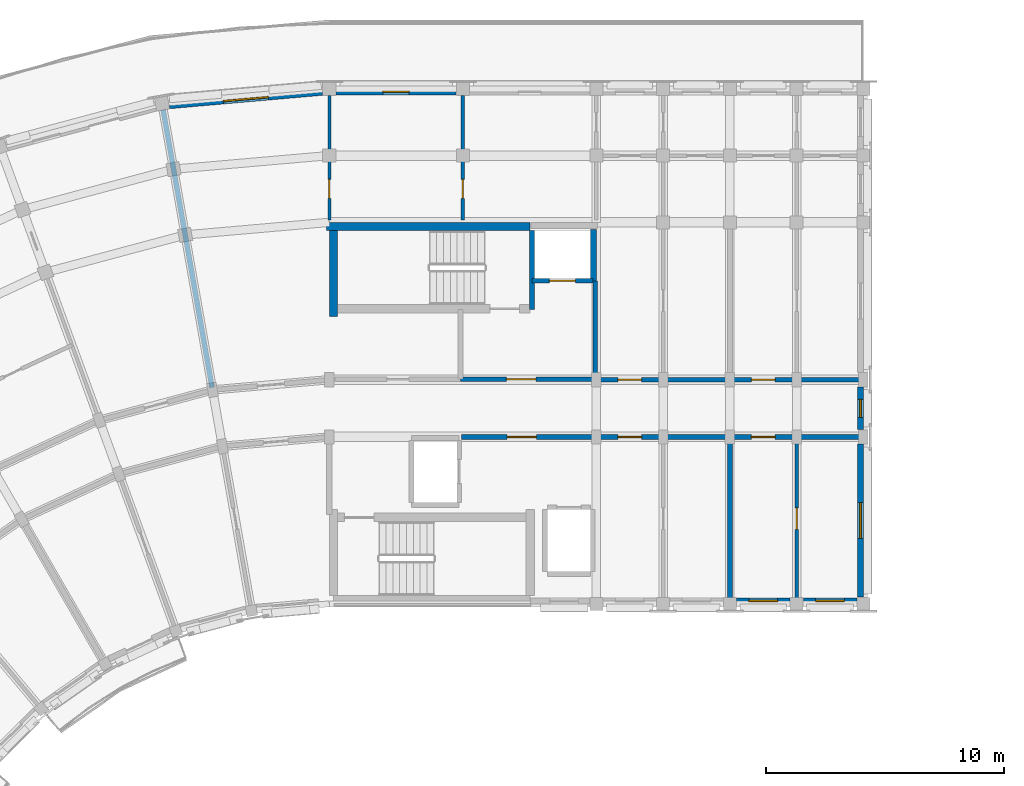
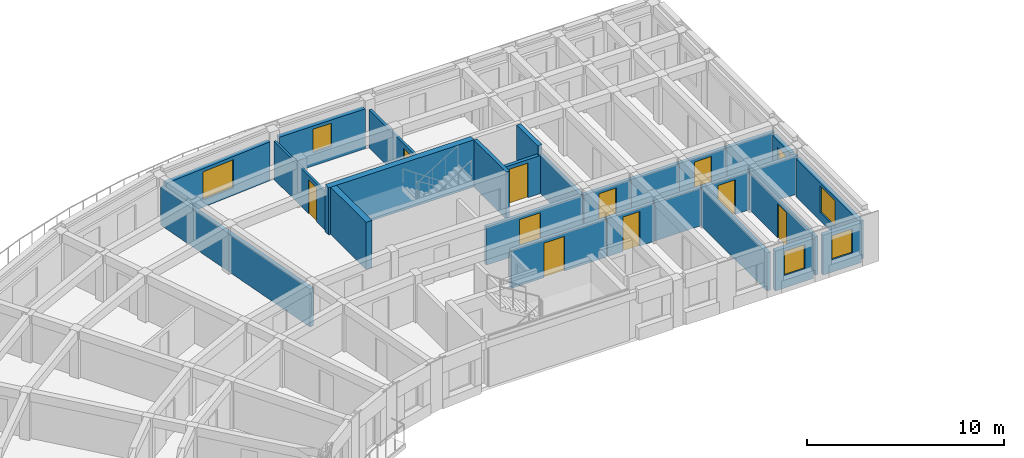
# One storey, part 14 of 23: 27 walls, 10 doors, 6 windows, 16 openings.
"""IFC4 building model written with IfcOpenShell, lengths in metres."""

from ifc_helpers import new_model, si_unit, direction, frame, frame_2d, origin, place, context, subcontext, project, spatial, rectangle, extrude, material, layer, layer_set, type_object, element, fill, save


model = new_model("IFC4")

# Units and contexts
model_context = context("Model", 3, precision=1e-05, world=origin(), true_north=direction((0.0, 1.0)))
body_context = subcontext(model_context, "Body", "Model", "MODEL_VIEW")
ifc_project = project(units=[si_unit("LENGTHUNIT", "METRE"), si_unit("AREAUNIT", "SQUARE_METRE"), si_unit("VOLUMEUNIT", "CUBIC_METRE"), si_unit("PLANEANGLEUNIT", "RADIAN"), si_unit("MASSUNIT", "GRAM", prefix="KILO")], contexts=[model_context])

# Site, building, storey
site_placement = place(None, origin())
site = spatial("IfcSite", under=ifc_project, at=site_placement, CompositionType="ELEMENT")
building_placement = place(site_placement, origin())
building = spatial("IfcBuilding", under=site, at=building_placement, Name="Kiranvali Square Residences", CompositionType="ELEMENT")
storey_placement = place(building_placement, frame((0.0, 0.0, 43.35009765625)))
storey = spatial("IfcBuildingStorey", under=building, at=storey_placement, Name="L13", CompositionType="ELEMENT", Elevation=43.35009765625)

# Wall, opening, door
ifc_material_1 = material(Name="Autoclaved aerated concrete blockwork masonry", Category="masonry")
ifc_layer_1 = layer(ifc_material_1, 0.199951171875)
ifc_layer_set_1 = layer_set([ifc_layer_1], Name="Autoclaved aerated concrete blockwork masonry")
wall_type_1 = type_object("IfcWallType", Name="WL-COR-200", PredefinedType="STANDARD", material=ifc_layer_set_1)
wall_1_placement = place(storey_placement, frame((53.75, 113.60009765625, 0.0), z_axis=(0.0, 0.0, 1.0), x_axis=(1.0, 0.0, 0.0)))
wall_1 = element("IfcWall", 1, at=wall_1_placement, inside=storey, type_object=wall_type_1, Name="L13 architectural wall WL-L13-A-LL-COR", PredefinedType="STANDARD", context=body_context, shape_type="SweptSolid", body=[
    extrude(rectangle(XDim=5.60009765625, YDim=0.199951171875, at=frame_2d((2.800048828125, 0.0))), origin(), (0.0, 0.0, 1.0), 2.371826171875),
])
opening_1_placement = place(wall_1_placement, frame((1.909912109375, 0.0, 0.0)))
opening_1 = element("IfcOpeningElement", 2, at=opening_1_placement, cuts=wall_1, Name="Opening FD-COR-60", PredefinedType="OPENING", context=body_context, shape_type="SweptSolid", body=[
    extrude(rectangle(XDim=1.219970703125, YDim=2.14990234375, at=frame_2d((0.60986328125, 1.074951171875))), frame((0.0, 0.10986328125, 0.0), z_axis=(0.0, -1.0, 0.0), x_axis=(1.0, 0.0, 0.0)), (0.0, 0.0, 1.0), 0.219970703125),
])
ifc_material_2 = material(Name="Fire-rated acoustic hardwood and mineral-core door assembly", Category="wood")
door_type_1 = type_object("IfcDoorType", Name="DR-FD60-1200", OperationType="NOTDEFINED", PredefinedType="DOOR", material=ifc_material_2)
door_1_placement = place(opening_1_placement, frame((1.219970703125, 0.0, 0.0), z_axis=(0.0, 0.0, 1.0), x_axis=(-1.0, 0.0, 0.0)))
door_1 = element("IfcDoor", 3, at=door_1_placement, inside=storey, type_object=door_type_1, Name="L13 door DR-L13-0800 (DR-FD60-1200)", OperationType="SINGLE_SWING_RIGHT", OverallHeight=2.14990234375, OverallWidth=1.219970703125, PredefinedType="DOOR", context=body_context, shape_type="SweptSolid", body=[
    extrude(rectangle(XDim=1.219970703125, YDim=2.14990234375, at=frame_2d((0.60986328125, 1.074951171875))), frame((0.0, 0.02490234375, 0.0), z_axis=(0.0, -1.0, 0.0), x_axis=(1.0, 0.0, 0.0)), (0.0, 0.0, 1.0), 0.050048828125),
])
fill(opening_1, door_1)

wall_2_placement = place(storey_placement, frame((59.39990234375, 113.60009765625, 0.0), z_axis=(0.0, 0.0, 1.0), x_axis=(1.0, 0.0, 0.0)))
wall_2 = element("IfcWall", 4, at=wall_2_placement, inside=storey, type_object=wall_type_1, Name="L13 architectural wall WL-L13-A-A1CI-0", PredefinedType="STANDARD", context=body_context, shape_type="SweptSolid", body=[
    extrude(rectangle(XDim=2.800048828125, YDim=0.199951171875, at=frame_2d((1.39990234375, 0.0))), origin(), (0.0, 0.0, 1.0), 2.371826171875),
])
opening_2_placement = place(wall_2_placement, frame((0.89990234375, 0.0, 0.0)))
opening_2 = element("IfcOpeningElement", 5, at=opening_2_placement, cuts=wall_2, Name="Opening FD-APT-60", PredefinedType="OPENING", context=body_context, shape_type="SweptSolid", body=[
    extrude(rectangle(XDim=1.0, YDim=2.14990234375, at=frame_2d((0.5, 1.074951171875))), frame((0.0, 0.10986328125, 0.0), z_axis=(0.0, -1.0, 0.0), x_axis=(1.0, 0.0, 0.0)), (0.0, 0.0, 1.0), 0.219970703125),
])
door_type_2 = type_object("IfcDoorType", Name="DR-APT-1000", OperationType="NOTDEFINED", PredefinedType="DOOR", material=ifc_material_2)
door_2_placement = place(opening_2_placement, frame((1.0, 0.0, 0.0), z_axis=(0.0, 0.0, 1.0), x_axis=(-1.0, 0.0, 0.0)))
door_2 = element("IfcDoor", 6, at=door_2_placement, inside=storey, type_object=door_type_2, Name="L13 door DR-L13-0804 (DR-APT-1000)", OperationType="SINGLE_SWING_RIGHT", OverallHeight=2.14990234375, OverallWidth=1.0, PredefinedType="DOOR", context=body_context, shape_type="SweptSolid", body=[
    extrude(rectangle(XDim=1.0, YDim=2.14990234375, at=frame_2d((0.5, 1.074951171875))), frame((0.0, 0.02490234375, 0.0), z_axis=(0.0, -1.0, 0.0), x_axis=(1.0, 0.0, 0.0)), (0.0, 0.0, 1.0), 0.050048828125),
])
fill(opening_2, door_2)

wall_3_placement = place(storey_placement, frame((59.39990234375, 116.0, 0.0), z_axis=(0.0, 0.0, 1.0), x_axis=(1.0, 0.0, 0.0)))
wall_3 = element("IfcWall", 7, at=wall_3_placement, inside=storey, type_object=wall_type_1, Name="L13 architectural wall WL-L13-A-A1CO-0", PredefinedType="STANDARD", context=body_context, shape_type="SweptSolid", body=[
    extrude(rectangle(XDim=2.800048828125, YDim=0.199951171875, at=frame_2d((1.39990234375, 0.0))), origin(), (0.0, 0.0, 1.0), 2.371826171875),
])
opening_3_placement = place(wall_3_placement, frame((0.89990234375, 0.0, 0.0)))
opening_3 = element("IfcOpeningElement", 8, at=opening_3_placement, cuts=wall_3, Name="Opening FD-APT-60", PredefinedType="OPENING", context=body_context, shape_type="SweptSolid", body=[
    extrude(rectangle(XDim=1.0, YDim=2.14990234375, at=frame_2d((0.5, 1.074951171875))), frame((0.0, 0.10986328125, 0.0), z_axis=(0.0, -1.0, 0.0), x_axis=(1.0, 0.0, 0.0)), (0.0, 0.0, 1.0), 0.219970703125),
])
door_3_placement = place(opening_3_placement, frame((1.0, 0.0, 0.0), z_axis=(0.0, 0.0, 1.0), x_axis=(-1.0, 0.0, 0.0)))
door_3 = element("IfcDoor", 9, at=door_3_placement, inside=storey, type_object=door_type_2, Name="L13 door DR-L13-0806 (DR-APT-1000)", OperationType="SINGLE_SWING_RIGHT", OverallHeight=2.14990234375, OverallWidth=1.0, PredefinedType="DOOR", context=body_context, shape_type="SweptSolid", body=[
    extrude(rectangle(XDim=1.0, YDim=2.14990234375, at=frame_2d((0.5, 1.074951171875))), frame((0.0, 0.02490234375, 0.0), z_axis=(0.0, -1.0, 0.0), x_axis=(1.0, 0.0, 0.0)), (0.0, 0.0, 1.0), 0.050048828125),
])
fill(opening_3, door_3)

# Walls
for number, where, z_axis, x_axis, name in (
    (10, (62.199951171875, 113.60009765625, 0.0), (0.0, 0.0, 1.0), (1.0, 0.0, 0.0), "L13 architectural wall WL-L13-A-A1CI-1"),
    (11, (62.199951171875, 116.0, 0.0), (0.0, 0.0, 1.0), (1.0, 0.0, 0.0), "L13 architectural wall WL-L13-A-A1CO-1"),
):
    element("IfcWall", number, at=place(storey_placement, frame(where, z_axis=z_axis, x_axis=x_axis)), inside=storey, type_object=wall_type_1, Name=name, PredefinedType="STANDARD", context=body_context, shape_type="SweptSolid", body=[
        extrude(rectangle(XDim=2.800048828125, YDim=0.199951171875, at=frame_2d((1.39990234375, 0.0))), origin(), (0.0, 0.0, 1.0), 2.371826171875),
    ])

# Wall, opening, door
wall_4_placement = place(storey_placement, frame((65.0, 113.60009765625, 0.0), z_axis=(0.0, 0.0, 1.0), x_axis=(1.0, 0.0, 0.0)))
wall_4 = element("IfcWall", 12, at=wall_4_placement, inside=storey, type_object=wall_type_1, Name="L13 architectural wall WL-L13-A-A1CI-2", PredefinedType="STANDARD", context=body_context, shape_type="SweptSolid", body=[
    extrude(rectangle(XDim=2.800048828125, YDim=0.199951171875, at=frame_2d((1.39990234375, 0.0))), origin(), (0.0, 0.0, 1.0), 2.371826171875),
])
opening_4_placement = place(wall_4_placement, frame((0.89990234375, 0.0, 0.0)))
opening_4 = element("IfcOpeningElement", 13, at=opening_4_placement, cuts=wall_4, Name="Opening FD-APT-60", PredefinedType="OPENING", context=body_context, shape_type="SweptSolid", body=[
    extrude(rectangle(XDim=1.0, YDim=2.14990234375, at=frame_2d((0.5, 1.074951171875))), frame((0.0, 0.10986328125, 0.0), z_axis=(0.0, -1.0, 0.0), x_axis=(1.0, 0.0, 0.0)), (0.0, 0.0, 1.0), 0.219970703125),
])
door_4_placement = place(opening_4_placement, frame((1.0, 0.0, 0.0), z_axis=(0.0, 0.0, 1.0), x_axis=(-1.0, 0.0, 0.0)))
door_4 = element("IfcDoor", 14, at=door_4_placement, inside=storey, type_object=door_type_2, Name="L13 door DR-L13-0808 (DR-APT-1000)", OperationType="SINGLE_SWING_RIGHT", OverallHeight=2.14990234375, OverallWidth=1.0, PredefinedType="DOOR", context=body_context, shape_type="SweptSolid", body=[
    extrude(rectangle(XDim=1.0, YDim=2.14990234375, at=frame_2d((0.5, 1.074951171875))), frame((0.0, 0.02490234375, 0.0), z_axis=(0.0, -1.0, 0.0), x_axis=(1.0, 0.0, 0.0)), (0.0, 0.0, 1.0), 0.050048828125),
])
fill(opening_4, door_4)

wall_5_placement = place(storey_placement, frame((65.0, 116.0, 0.0), z_axis=(0.0, 0.0, 1.0), x_axis=(1.0, 0.0, 0.0)))
wall_5 = element("IfcWall", 15, at=wall_5_placement, inside=storey, type_object=wall_type_1, Name="L13 architectural wall WL-L13-A-A1CO-2", PredefinedType="STANDARD", context=body_context, shape_type="SweptSolid", body=[
    extrude(rectangle(XDim=2.800048828125, YDim=0.199951171875, at=frame_2d((1.39990234375, 0.0))), origin(), (0.0, 0.0, 1.0), 2.371826171875),
])
opening_5_placement = place(wall_5_placement, frame((0.89990234375, 0.0, 0.0)))
opening_5 = element("IfcOpeningElement", 16, at=opening_5_placement, cuts=wall_5, Name="Opening FD-APT-60", PredefinedType="OPENING", context=body_context, shape_type="SweptSolid", body=[
    extrude(rectangle(XDim=1.0, YDim=2.14990234375, at=frame_2d((0.5, 1.074951171875))), frame((0.0, 0.10986328125, 0.0), z_axis=(0.0, -1.0, 0.0), x_axis=(1.0, 0.0, 0.0)), (0.0, 0.0, 1.0), 0.219970703125),
])
door_5_placement = place(opening_5_placement, frame((1.0, 0.0, 0.0), z_axis=(0.0, 0.0, 1.0), x_axis=(-1.0, 0.0, 0.0)))
door_5 = element("IfcDoor", 17, at=door_5_placement, inside=storey, type_object=door_type_2, Name="L13 door DR-L13-0810 (DR-APT-1000)", OperationType="SINGLE_SWING_RIGHT", OverallHeight=2.14990234375, OverallWidth=1.0, PredefinedType="DOOR", context=body_context, shape_type="SweptSolid", body=[
    extrude(rectangle(XDim=1.0, YDim=2.14990234375, at=frame_2d((0.5, 1.074951171875))), frame((0.0, 0.02490234375, 0.0), z_axis=(0.0, -1.0, 0.0), x_axis=(1.0, 0.0, 0.0)), (0.0, 0.0, 1.0), 0.050048828125),
])
fill(opening_5, door_5)

# Walls
for number, where, z_axis, x_axis, name in (
    (18, (67.800048828125, 113.60009765625, 0.0), (0.0, 0.0, 1.0), (1.0, 0.0, 0.0), "L13 architectural wall WL-L13-A-A1CI-3"),
    (19, (67.800048828125, 116.0, 0.0), (0.0, 0.0, 1.0), (1.0, 0.0, 0.0), "L13 architectural wall WL-L13-A-A1CO-3"),
):
    element("IfcWall", number, at=place(storey_placement, frame(where, z_axis=z_axis, x_axis=x_axis)), inside=storey, type_object=wall_type_1, Name=name, PredefinedType="STANDARD", context=body_context, shape_type="SweptSolid", body=[
        extrude(rectangle(XDim=2.800048828125, YDim=0.199951171875, at=frame_2d((1.39990234375, 0.0))), origin(), (0.0, 0.0, 1.0), 2.371826171875),
    ])
ifc_layer_2 = layer(ifc_material_1, 0.219970703125)
ifc_layer_set_2 = layer_set([ifc_layer_2], Name="Autoclaved aerated concrete blockwork masonry")
wall_type_2 = type_object("IfcWallType", Name="WL-DEM-220", PredefinedType="STANDARD", material=ifc_layer_set_2)
wall_6_placement = place(storey_placement, frame((65.0, 106.800048828125, 0.0), z_axis=(0.0, 0.0, 1.0), x_axis=(0.0, 1.0, 0.0)))
element("IfcWall", 20, at=wall_6_placement, inside=storey, type_object=wall_type_2, Name="L13 architectural wall WL-L13-A-A1TI-2", PredefinedType="STANDARD", context=body_context, shape_type="SweptSolid", body=[
    extrude(rectangle(XDim=6.75, YDim=0.219970703125, at=frame_2d((3.375, 0.0))), origin(), (0.0, 0.0, 1.0), 2.371826171875),
])
wall_7_placement = place(storey_placement, frame((43.28564453125, 115.670166015625, 0.0), z_axis=(0.0, 0.0, 1.0), x_axis=(-0.173646292378, 0.984808085438, 0.0)))
element("IfcWall", 21, at=wall_7_placement, inside=storey, type_object=wall_type_2, Name="L13 architectural wall WL-L13-A-RADO-1", PredefinedType="STANDARD", context=body_context, shape_type="SweptSolid", body=[
    extrude(rectangle(XDim=11.820068359375, YDim=0.219970703125, at=frame_2d((5.91015625, 0.0))), origin(), (0.0, 0.0, 1.0), 2.371826171875),
])

# Wall, opening, window
ifc_material_3 = material(Name="Breathable lime-rendered clay brick masonry", Category="masonry")
ifc_layer_3 = layer(ifc_material_3, 0.25)
ifc_layer_set_3 = layer_set([ifc_layer_3], Name="Breathable lime-rendered clay brick masonry")
wall_type_3 = type_object("IfcWallType", Name="WL-EXT-250", PredefinedType="STANDARD", material=ifc_layer_set_3)
wall_8_placement = place(storey_placement, frame((47.911376953125, 128.04931640625, 0.0), z_axis=(0.0, 0.0, 1.0), x_axis=(-0.996192647716, -0.087179175472, 0.0)))
wall_8 = element("IfcWall", 22, at=wall_8_placement, inside=storey, type_object=wall_type_3, Name="L13 exterior wall A-L13-CRV-00", PredefinedType="STANDARD", context=body_context, shape_type="SweptSolid", body=[
    extrude(rectangle(XDim=6.44091796875, YDim=0.25, at=frame_2d((3.220458984375, 0.0))), origin(), (0.0, 0.0, 1.0), 2.411865234375),
])
opening_6_placement = place(wall_8_placement, frame((2.2705078125, 0.0, 0.4619140625)))
opening_6 = element("IfcOpeningElement", 23, at=opening_6_placement, cuts=wall_8, Name="Opening W-21", PredefinedType="OPENING", context=body_context, shape_type="SweptSolid", body=[
    extrude(rectangle(XDim=1.89990234375, YDim=1.75, at=frame_2d((0.949951171875, 0.875))), frame((0.0, 0.135009765625, 0.0), z_axis=(0.0, -1.0, 0.0), x_axis=(1.0, 0.0, 0.0)), (0.0, 0.0, 1.0), 0.27001953125),
])
ifc_material_4 = material(Name="Solar-control low-e double glazing", Category="glass")
window_type_1 = type_object("IfcWindowType", Name="WIN-TER-1900x1750", PartitioningType="DOUBLE_PANEL_VERTICAL", PredefinedType="WINDOW", material=ifc_material_4)
window_1_placement = place(opening_6_placement, origin())
window_1 = element("IfcWindow", 24, at=window_1_placement, inside=storey, type_object=window_type_1, Name="L13 recessed window A-L13-CRV-00", OverallHeight=1.75, OverallWidth=1.89990234375, PartitioningType="DOUBLE_PANEL_VERTICAL", PredefinedType="WINDOW", context=body_context, shape_type="SweptSolid", body=[
    extrude(rectangle(XDim=1.89990234375, YDim=1.75, at=frame_2d((0.949951171875, 0.875))), frame((0.0, 0.030029296875, 0.0), z_axis=(0.0, -1.0, 0.0), x_axis=(1.0, 0.0, 0.0)), (0.0, 0.0, 1.0), 0.06005859375),
])
fill(opening_6, window_1)

wall_9_placement = place(storey_placement, frame((48.478515625, 128.074951171875, 0.0), z_axis=(0.0, 0.0, 1.0), x_axis=(1.0, 0.0, 0.0)))
wall_9 = element("IfcWall", 25, at=wall_9_placement, inside=storey, type_object=wall_type_3, Name="L13 exterior wall A-L13-A1O-0", PredefinedType="STANDARD", context=body_context, shape_type="SweptSolid", body=[
    extrude(rectangle(XDim=5.04296875, YDim=0.25, at=frame_2d((2.521484375, 0.0))), origin(), (0.0, 0.0, 1.0), 2.47998046875),
])
opening_7_placement = place(wall_9_placement, frame((1.971435546875, 0.0, 0.830078125)))
opening_7 = element("IfcOpeningElement", 26, at=opening_7_placement, cuts=wall_9, Name="Opening W-15", PredefinedType="OPENING", context=body_context, shape_type="SweptSolid", body=[
    extrude(rectangle(XDim=1.10009765625, YDim=1.449951171875, at=frame_2d((0.550048828125, 0.72509765625))), frame((0.0, 0.135009765625, 0.0), z_axis=(0.0, -1.0, 0.0), x_axis=(1.0, 0.0, 0.0)), (0.0, 0.0, 1.0), 0.27001953125),
])
window_type_2 = type_object("IfcWindowType", Name="WIN-RES-1100x1450", PartitioningType="SINGLE_PANEL", PredefinedType="WINDOW", material=ifc_material_4)
window_2_placement = place(opening_7_placement, origin())
window_2 = element("IfcWindow", 27, at=window_2_placement, inside=storey, type_object=window_type_2, Name="L13 recessed window A-L13-A1O-0", OverallHeight=1.449951171875, OverallWidth=1.10009765625, PartitioningType="SINGLE_PANEL", PredefinedType="WINDOW", context=body_context, shape_type="SweptSolid", body=[
    extrude(rectangle(XDim=1.10009765625, YDim=1.449951171875, at=frame_2d((0.550048828125, 0.72509765625))), frame((0.0, 0.030029296875, 0.0), z_axis=(0.0, -1.0, 0.0), x_axis=(1.0, 0.0, 0.0)), (0.0, 0.0, 1.0), 0.06005859375),
])
fill(opening_7, window_2)

wall_10_placement = place(storey_placement, frame((65.278564453125, 106.72509765625, 0.0), z_axis=(0.0, 0.0, 1.0), x_axis=(1.0, 0.0, 0.0)))
wall_10 = element("IfcWall", 28, at=wall_10_placement, inside=storey, type_object=wall_type_3, Name="L13 exterior wall A-L13-A1I-2", PredefinedType="STANDARD", context=body_context, shape_type="SweptSolid", body=[
    extrude(rectangle(XDim=2.242919921875, YDim=0.25, at=frame_2d((1.12158203125, 0.0))), origin(), (0.0, 0.0, 1.0), 2.471923828125),
])
opening_8_placement = place(wall_10_placement, frame((0.521484375, 0.0, 0.77197265625)))
opening_8 = element("IfcOpeningElement", 29, at=opening_8_placement, cuts=wall_10, Name="Opening W-06", PredefinedType="OPENING", context=body_context, shape_type="SweptSolid", body=[
    extrude(rectangle(XDim=1.199951171875, YDim=1.5, at=frame_2d((0.60009765625, 0.75))), frame((0.0, 0.135009765625, 0.0), z_axis=(0.0, -1.0, 0.0), x_axis=(1.0, 0.0, 0.0)), (0.0, 0.0, 1.0), 0.27001953125),
])
window_type_3 = type_object("IfcWindowType", Name="WIN-RES-1200x1500", PartitioningType="SINGLE_PANEL", PredefinedType="WINDOW", material=ifc_material_4)
window_3_placement = place(opening_8_placement, origin())
window_3 = element("IfcWindow", 30, at=window_3_placement, inside=storey, type_object=window_type_3, Name="L13 recessed window A-L13-A1I-2", OverallHeight=1.5, OverallWidth=1.199951171875, PartitioningType="SINGLE_PANEL", PredefinedType="WINDOW", context=body_context, shape_type="SweptSolid", body=[
    extrude(rectangle(XDim=1.199951171875, YDim=1.5, at=frame_2d((0.60009765625, 0.75))), frame((0.0, 0.030029296875, 0.0), z_axis=(0.0, -1.0, 0.0), x_axis=(1.0, 0.0, 0.0)), (0.0, 0.0, 1.0), 0.06005859375),
])
fill(opening_8, window_3)

wall_11_placement = place(storey_placement, frame((68.07861328125, 106.72509765625, 0.0), z_axis=(0.0, 0.0, 1.0), x_axis=(1.0, 0.0, 0.0)))
wall_11 = element("IfcWall", 31, at=wall_11_placement, inside=storey, type_object=wall_type_3, Name="L13 exterior wall A-L13-A1I-3", PredefinedType="STANDARD", context=body_context, shape_type="SweptSolid", body=[
    extrude(rectangle(XDim=2.242919921875, YDim=0.25, at=frame_2d((1.12158203125, 0.0))), origin(), (0.0, 0.0, 1.0), 2.471923828125),
])
opening_9_placement = place(wall_11_placement, frame((0.521484375, 0.0, 0.77197265625)))
opening_9 = element("IfcOpeningElement", 32, at=opening_9_placement, cuts=wall_11, Name="Opening W-06", PredefinedType="OPENING", context=body_context, shape_type="SweptSolid", body=[
    extrude(rectangle(XDim=1.199951171875, YDim=1.5, at=frame_2d((0.60009765625, 0.75))), frame((0.0, 0.135009765625, 0.0), z_axis=(0.0, -1.0, 0.0), x_axis=(1.0, 0.0, 0.0)), (0.0, 0.0, 1.0), 0.27001953125),
])
window_4_placement = place(opening_9_placement, origin())
window_4 = element("IfcWindow", 33, at=window_4_placement, inside=storey, type_object=window_type_3, Name="L13 recessed window A-L13-A1I-3", OverallHeight=1.5, OverallWidth=1.199951171875, PartitioningType="SINGLE_PANEL", PredefinedType="WINDOW", context=body_context, shape_type="SweptSolid", body=[
    extrude(rectangle(XDim=1.199951171875, YDim=1.5, at=frame_2d((0.60009765625, 0.75))), frame((0.0, 0.030029296875, 0.0), z_axis=(0.0, -1.0, 0.0), x_axis=(1.0, 0.0, 0.0)), (0.0, 0.0, 1.0), 0.06005859375),
])
fill(opening_9, window_4)

wall_12_placement = place(storey_placement, frame((70.47509765625, 106.87841796875, 0.0), z_axis=(0.0, 0.0, 1.0), x_axis=(0.0, 1.0, 0.0)))
wall_12 = element("IfcWall", 34, at=wall_12_placement, inside=storey, type_object=wall_type_3, Name="L13 exterior wall A-L13-A1END-0", PredefinedType="STANDARD", context=body_context, shape_type="SweptSolid", body=[
    extrude(rectangle(XDim=6.41796875, YDim=0.25, at=frame_2d((3.208984375, 0.0))), origin(), (0.0, 0.0, 1.0), 2.371826171875),
])
opening_10_placement = place(wall_12_placement, frame((2.471435546875, 0.0, 0.52197265625)))
opening_10 = element("IfcOpeningElement", 35, at=opening_10_placement, cuts=wall_12, Name="Opening W-05", PredefinedType="OPENING", context=body_context, shape_type="SweptSolid", body=[
    extrude(rectangle(XDim=1.5, YDim=1.64990234375, at=frame_2d((0.75, 0.824951171875))), frame((0.0, 0.135009765625, 0.0), z_axis=(0.0, -1.0, 0.0), x_axis=(1.0, 0.0, 0.0)), (0.0, 0.0, 1.0), 0.27001953125),
])
window_type_4 = type_object("IfcWindowType", Name="WIN-RES-1500x1650", PartitioningType="DOUBLE_PANEL_VERTICAL", PredefinedType="WINDOW", material=ifc_material_4)
window_5_placement = place(opening_10_placement, origin())
window_5 = element("IfcWindow", 36, at=window_5_placement, inside=storey, type_object=window_type_4, Name="L13 recessed window A-L13-A1END-0", OverallHeight=1.64990234375, OverallWidth=1.5, PartitioningType="DOUBLE_PANEL_VERTICAL", PredefinedType="WINDOW", context=body_context, shape_type="SweptSolid", body=[
    extrude(rectangle(XDim=1.5, YDim=1.64990234375, at=frame_2d((0.75, 0.824951171875))), frame((0.0, 0.030029296875, 0.0), z_axis=(0.0, -1.0, 0.0), x_axis=(1.0, 0.0, 0.0)), (0.0, 0.0, 1.0), 0.06005859375),
])
fill(opening_10, window_5)

wall_13_placement = place(storey_placement, frame((70.47509765625, 113.903564453125, 0.0), z_axis=(0.0, 0.0, 1.0), x_axis=(0.0, 1.0, 0.0)))
wall_13 = element("IfcWall", 37, at=wall_13_placement, inside=storey, type_object=wall_type_3, Name="L13 exterior wall A-L13-A1END-1", PredefinedType="STANDARD", context=body_context, shape_type="SweptSolid", body=[
    extrude(rectangle(XDim=1.79296875, YDim=0.25, at=frame_2d((0.896484375, 0.0))), origin(), (0.0, 0.0, 1.0), 2.371826171875),
])
opening_11_placement = place(wall_13_placement, frame((0.521484375, 0.0, 0.8798828125)))
opening_11 = element("IfcOpeningElement", 38, at=opening_11_placement, cuts=wall_13, Name="Opening W-07", PredefinedType="OPENING", context=body_context, shape_type="SweptSolid", body=[
    extrude(rectangle(XDim=0.75, YDim=1.050048828125, at=frame_2d((0.375, 0.52490234375))), frame((0.0, 0.135009765625, 0.0), z_axis=(0.0, -1.0, 0.0), x_axis=(1.0, 0.0, 0.0)), (0.0, 0.0, 1.0), 0.27001953125),
])
window_type_5 = type_object("IfcWindowType", Name="WIN-WET-750x1050", PartitioningType="SINGLE_PANEL", PredefinedType="WINDOW", material=ifc_material_4)
window_6_placement = place(opening_11_placement, origin())
window_6 = element("IfcWindow", 39, at=window_6_placement, inside=storey, type_object=window_type_5, Name="L13 recessed window A-L13-A1END-1", OverallHeight=1.050048828125, OverallWidth=0.75, PartitioningType="SINGLE_PANEL", PredefinedType="WINDOW", context=body_context, shape_type="SweptSolid", body=[
    extrude(rectangle(XDim=0.75, YDim=1.050048828125, at=frame_2d((0.375, 0.52490234375))), frame((0.0, 0.030029296875, 0.0), z_axis=(0.0, -1.0, 0.0), x_axis=(1.0, 0.0, 0.0)), (0.0, 0.0, 1.0), 0.06005859375),
])
fill(opening_11, window_6)

# Wall, opening, door
ifc_layer_4 = layer(ifc_material_1, 0.199951171875)
ifc_layer_set_4 = layer_set([ifc_layer_4], Name="Autoclaved aerated concrete blockwork masonry")
wall_type_4 = type_object("IfcWallType", Name="WL-FFL-200", PredefinedType="STANDARD", material=ifc_layer_set_4)
wall_14_placement = place(storey_placement, frame((53.699951171875, 116.02001953125, 0.0), z_axis=(0.0, 0.0, 1.0), x_axis=(1.0, 0.0, 0.0)))
wall_14 = element("IfcWall", 40, at=wall_14_placement, inside=storey, type_object=wall_type_4, Name="L13 architectural wall WL-L13-A-FF-COR", PredefinedType="STANDARD", context=body_context, shape_type="SweptSolid", body=[
    extrude(rectangle(XDim=5.650146484375, YDim=0.199951171875, at=frame_2d((2.8251953125, 0.0))), origin(), (0.0, 0.0, 1.0), 2.371826171875),
])
opening_12_placement = place(wall_14_placement, frame((1.922607421875, 0.0, 0.0)))
opening_12 = element("IfcOpeningElement", 41, at=opening_12_placement, cuts=wall_14, Name="Opening FD-ST-120", PredefinedType="OPENING", context=body_context, shape_type="SweptSolid", body=[
    extrude(rectangle(XDim=1.239990234375, YDim=2.14990234375, at=frame_2d((0.6201171875, 1.074951171875))), frame((0.0, 0.10986328125, 0.0), z_axis=(0.0, -1.0, 0.0), x_axis=(1.0, 0.0, 0.0)), (0.0, 0.0, 1.0), 0.219970703125),
])
door_type_3 = type_object("IfcDoorType", Name="DR-FD120-1200", OperationType="NOTDEFINED", PredefinedType="DOOR", material=ifc_material_2)
door_6_placement = place(opening_12_placement, frame((1.239990234375, 0.0, 0.0), z_axis=(0.0, 0.0, 1.0), x_axis=(-1.0, 0.0, 0.0)))
door_6 = element("IfcDoor", 42, at=door_6_placement, inside=storey, type_object=door_type_3, Name="L13 door DR-L13-0792 (DR-FD120-1200)", OperationType="SINGLE_SWING_RIGHT", OverallHeight=2.14990234375, OverallWidth=1.239990234375, PredefinedType="DOOR", context=body_context, shape_type="SweptSolid", body=[
    extrude(rectangle(XDim=1.239990234375, YDim=2.14990234375, at=frame_2d((0.6201171875, 1.074951171875))), frame((0.0, 0.02490234375, 0.0), z_axis=(0.0, -1.0, 0.0), x_axis=(1.0, 0.0, 0.0)), (0.0, 0.0, 1.0), 0.050048828125),
])
fill(opening_12, door_6)

# Wall
wall_15_placement = place(storey_placement, frame((59.35009765625, 116.02001953125, 0.0), z_axis=(0.0, 0.0, 1.0), x_axis=(0.0, 1.0, 0.0)))
element("IfcWall", 43, at=wall_15_placement, inside=storey, type_object=wall_type_4, Name="L13 architectural wall WL-L13-A-FF-END", PredefinedType="STANDARD", context=body_context, shape_type="SweptSolid", body=[
    extrude(rectangle(XDim=4.1298828125, YDim=0.199951171875, at=frame_2d((2.06494140625, 0.0))), origin(), (0.0, 0.0, 1.0), 2.371826171875),
])

# Wall, opening, door
wall_16_placement = place(storey_placement, frame((56.699951171875, 120.14990234375, 0.0), z_axis=(0.0, 0.0, 1.0), x_axis=(1.0, 0.0, 0.0)))
wall_16 = element("IfcWall", 44, at=wall_16_placement, inside=storey, type_object=wall_type_4, Name="L13 architectural wall WL-L13-A-FF-LFT", PredefinedType="STANDARD", context=body_context, shape_type="SweptSolid", body=[
    extrude(rectangle(XDim=2.550048828125, YDim=0.199951171875, at=frame_2d((1.27490234375, 0.0))), origin(), (0.0, 0.0, 1.0), 2.371826171875),
])
opening_13_placement = place(wall_16_placement, frame((0.72509765625, 0.0, 0.0)))
opening_13 = element("IfcOpeningElement", 45, at=opening_13_placement, cuts=wall_16, Name="Opening LD-FF-110", PredefinedType="OPENING", context=body_context, shape_type="SweptSolid", body=[
    extrude(rectangle(XDim=1.10009765625, YDim=2.14990234375, at=frame_2d((0.550048828125, 1.074951171875))), frame((0.0, 0.10986328125, 0.0), z_axis=(0.0, -1.0, 0.0), x_axis=(1.0, 0.0, 0.0)), (0.0, 0.0, 1.0), 0.219970703125),
])
door_type_4 = type_object("IfcDoorType", Name="DR-LIFT-FF-1100", OperationType="SLIDING_TO_LEFT", PredefinedType="DOOR", material=ifc_material_2)
door_7_placement = place(opening_13_placement, origin())
door_7 = element("IfcDoor", 46, at=door_7_placement, inside=storey, type_object=door_type_4, Name="L13 door DR-L13-0794 (DR-LIFT-FF-1100)", OperationType="SLIDING_TO_LEFT", OverallHeight=2.14990234375, OverallWidth=1.10009765625, PredefinedType="DOOR", context=body_context, shape_type="SweptSolid", body=[
    extrude(rectangle(XDim=1.10009765625, YDim=2.14990234375, at=frame_2d((0.550048828125, 1.074951171875))), frame((0.0, 0.02490234375, 0.0), z_axis=(0.0, -1.0, 0.0), x_axis=(1.0, 0.0, 0.0)), (0.0, 0.0, 1.0), 0.050048828125),
])
fill(opening_13, door_7)

ifc_material_5 = material(Name="Acoustic gypsum board drylined partition", Category="gypsum")
ifc_layer_5 = layer(ifc_material_5, 0.125)
ifc_layer_set_5 = layer_set([ifc_layer_5], Name="Acoustic gypsum board drylined partition")
wall_type_5 = type_object("IfcWallType", Name="WL-PRT-125", PredefinedType="PARTITIONING", material=ifc_layer_set_5)
wall_17_placement = place(storey_placement, frame((48.199951171875, 122.699951171875, 0.0), z_axis=(0.0, 0.0, 1.0), x_axis=(0.0, 1.0, 0.0)))
wall_17 = element("IfcWall", 47, at=wall_17_placement, inside=storey, type_object=wall_type_5, Name="L13 architectural wall WL-L13-A-RADO-0", PredefinedType="PARTITIONING", context=body_context, shape_type="SweptSolid", body=[
    extrude(rectangle(XDim=5.219970703125, YDim=0.125, at=frame_2d((2.60986328125, 0.0))), origin(), (0.0, 0.0, 1.0), 2.371826171875),
])
opening_14_placement = place(wall_17_placement, frame((0.899658203125, 0.0, 0.0)))
opening_14 = element("IfcOpeningElement", 48, at=opening_14_placement, cuts=wall_17, Name="Opening ID-WET", PredefinedType="OPENING", context=body_context, shape_type="SweptSolid", body=[
    extrude(rectangle(XDim=0.800048828125, YDim=2.10009765625, at=frame_2d((0.39990234375, 1.050048828125))), frame((0.0, 0.072509765625, 0.0), z_axis=(0.0, -1.0, 0.0), x_axis=(1.0, 0.0, 0.0)), (0.0, 0.0, 1.0), 0.14501953125),
])
ifc_material_6 = material(Name="Solid seasoned teak hardwood joinery", Category="wood")
door_type_5 = type_object("IfcDoorType", Name="DR-WET-800", OperationType="NOTDEFINED", PredefinedType="DOOR", material=ifc_material_6)
door_8_placement = place(opening_14_placement, origin())
door_8 = element("IfcDoor", 49, at=door_8_placement, inside=storey, type_object=door_type_5, Name="L13 door DR-L13-0819 (DR-WET-800)", OperationType="SINGLE_SWING_LEFT", OverallHeight=2.10009765625, OverallWidth=0.800048828125, PredefinedType="DOOR", context=body_context, shape_type="SweptSolid", body=[
    extrude(rectangle(XDim=0.800048828125, YDim=2.10009765625, at=frame_2d((0.39990234375, 1.050048828125))), frame((0.0, 0.02490234375, 0.0), z_axis=(0.0, -1.0, 0.0), x_axis=(1.0, 0.0, 0.0)), (0.0, 0.0, 1.0), 0.050048828125),
])
fill(opening_14, door_8)

ifc_layer_6 = layer(ifc_material_5, 0.14990234375)
ifc_layer_set_6 = layer_set([ifc_layer_6], Name="Acoustic gypsum board drylined partition")
wall_type_6 = type_object("IfcWallType", Name="WL-PRT-150", PredefinedType="PARTITIONING", material=ifc_layer_set_6)
wall_18_placement = place(storey_placement, frame((53.800048828125, 122.699951171875, 0.0), z_axis=(0.0, 0.0, 1.0), x_axis=(0.0, 1.0, 0.0)))
wall_18 = element("IfcWall", 50, at=wall_18_placement, inside=storey, type_object=wall_type_6, Name="L13 architectural wall WL-L13-A-CF-MID", PredefinedType="PARTITIONING", context=body_context, shape_type="SweptSolid", body=[
    extrude(rectangle(XDim=5.219970703125, YDim=0.14990234375, at=frame_2d((2.60986328125, 0.0))), origin(), (0.0, 0.0, 1.0), 2.371826171875),
])
opening_15_placement = place(wall_18_placement, frame((0.899658203125, 0.0, 0.0)))
opening_15 = element("IfcOpeningElement", 51, at=opening_15_placement, cuts=wall_18, Name="Opening ID-WET", PredefinedType="OPENING", context=body_context, shape_type="SweptSolid", body=[
    extrude(rectangle(XDim=0.800048828125, YDim=2.10009765625, at=frame_2d((0.39990234375, 1.050048828125))), frame((0.0, 0.0849609375, 0.0), z_axis=(0.0, -1.0, 0.0), x_axis=(1.0, 0.0, 0.0)), (0.0, 0.0, 1.0), 0.169921875),
])
door_9_placement = place(opening_15_placement, origin())
door_9 = element("IfcDoor", 52, at=door_9_placement, inside=storey, type_object=door_type_5, Name="L13 door DR-L13-0803 (DR-WET-800)", OperationType="SINGLE_SWING_LEFT", OverallHeight=2.10009765625, OverallWidth=0.800048828125, PredefinedType="DOOR", context=body_context, shape_type="SweptSolid", body=[
    extrude(rectangle(XDim=0.800048828125, YDim=2.10009765625, at=frame_2d((0.39990234375, 1.050048828125))), frame((0.0, 0.02490234375, 0.0), z_axis=(0.0, -1.0, 0.0), x_axis=(1.0, 0.0, 0.0)), (0.0, 0.0, 1.0), 0.050048828125),
])
fill(opening_15, door_9)

wall_19_placement = place(storey_placement, frame((67.800048828125, 106.800048828125, 0.0), z_axis=(0.0, 0.0, 1.0), x_axis=(0.0, 1.0, 0.0)))
wall_19 = element("IfcWall", 53, at=wall_19_placement, inside=storey, type_object=wall_type_6, Name="L13 architectural wall WL-L13-A-A1TI-3", PredefinedType="PARTITIONING", context=body_context, shape_type="SweptSolid", body=[
    extrude(rectangle(XDim=6.75, YDim=0.14990234375, at=frame_2d((3.375, 0.0))), origin(), (0.0, 0.0, 1.0), 2.371826171875),
])
opening_16_placement = place(wall_19_placement, frame((2.925048828125, 0.0, 0.0)))
opening_16 = element("IfcOpeningElement", 54, at=opening_16_placement, cuts=wall_19, Name="Opening ID-1", PredefinedType="OPENING", context=body_context, shape_type="SweptSolid", body=[
    extrude(rectangle(XDim=0.89990234375, YDim=2.10009765625, at=frame_2d((0.449951171875, 1.050048828125))), frame((0.0, 0.0849609375, 0.0), z_axis=(0.0, -1.0, 0.0), x_axis=(1.0, 0.0, 0.0)), (0.0, 0.0, 1.0), 0.169921875),
])
door_type_6 = type_object("IfcDoorType", Name="DR-INT-900", OperationType="NOTDEFINED", PredefinedType="DOOR", material=ifc_material_6)
door_10_placement = place(opening_16_placement, frame((0.89990234375, 0.0, 0.0), z_axis=(0.0, 0.0, 1.0), x_axis=(-1.0, 0.0, 0.0)))
door_10 = element("IfcDoor", 55, at=door_10_placement, inside=storey, type_object=door_type_6, Name="L13 door DR-L13-0816 (DR-INT-900)", OperationType="SINGLE_SWING_RIGHT", OverallHeight=2.10009765625, OverallWidth=0.89990234375, PredefinedType="DOOR", context=body_context, shape_type="SweptSolid", body=[
    extrude(rectangle(XDim=0.89990234375, YDim=2.10009765625, at=frame_2d((0.449951171875, 1.050048828125))), frame((0.0, 0.02490234375, 0.0), z_axis=(0.0, -1.0, 0.0), x_axis=(1.0, 0.0, 0.0)), (0.0, 0.0, 1.0), 0.050048828125),
])
fill(opening_16, door_10)

# Walls
ifc_layer_7 = layer(ifc_material_1, 0.199951171875)
ifc_layer_set_7 = layer_set([ifc_layer_7], Name="Autoclaved aerated concrete blockwork masonry")
wall_type_7 = type_object("IfcWallType", Name="WL-SHF-200", PredefinedType="STANDARD", material=ifc_layer_set_7)
wall_20_placement = place(storey_placement, frame((56.699951171875, 118.949951171875, 0.0), z_axis=(0.0, 0.0, 1.0), x_axis=(0.0, 1.0, 0.0)))
element("IfcWall", 56, at=wall_20_placement, inside=storey, type_object=wall_type_7, Name="L13 architectural wall WL-L13-A-FF-SHF", PredefinedType="STANDARD", context=body_context, shape_type="SweptSolid", body=[
    extrude(rectangle(XDim=3.300048828125, YDim=0.199951171875, at=frame_2d((1.64990234375, 0.0))), origin(), (0.0, 0.0, 1.0), 2.929931640625),
])
ifc_material_7 = material(Name="Concrete M45 (45 MPa)", Category="concrete")
ifc_layer_8 = layer(ifc_material_7, 0.25)
ifc_layer_set_8 = layer_set([ifc_layer_8], Name="Concrete M45 (45 MPa)")
wall_type_8 = type_object("IfcWallType", Name="WL-SHR-250", PredefinedType="SHEAR", material=ifc_layer_set_8)
wall_21_placement = place(storey_placement, frame((59.27490234375, 120.14990234375, 0.0), z_axis=(0.0, 0.0, 1.0), x_axis=(0.0, 1.0, 0.0)))
element("IfcWall", 57, at=wall_21_placement, inside=storey, type_object=wall_type_8, Name="Block A core shear wall SW-AFF-SD-L13", PredefinedType="SHEAR", context=body_context, shape_type="SweptSolid", body=[
    extrude(rectangle(XDim=2.150146484375, YDim=0.25, at=frame_2d((1.0751953125, 0.0))), origin(), (0.0, 0.0, 1.0), 2.929931640625),
])
ifc_layer_9 = layer(ifc_material_7, 0.320068359375)
ifc_layer_set_9 = layer_set([ifc_layer_9], Name="Concrete M45 (45 MPa)")
wall_type_9 = type_object("IfcWallType", Name="WL-SHR-320", PredefinedType="SHEAR", material=ifc_layer_set_9)
wall_22_placement = place(storey_placement, frame((48.080078125, 122.425048828125, 0.0), z_axis=(0.0, 0.0, 1.0), x_axis=(1.0, 0.0, 0.0)))
element("IfcWall", 58, at=wall_22_placement, inside=storey, type_object=wall_type_9, Name="Block A core shear wall SW-A1-OUT-L13", PredefinedType="SHEAR", context=body_context, shape_type="SweptSolid", body=[
    extrude(rectangle(XDim=8.544921875, YDim=0.35009765625, at=frame_2d((4.2724609375, 0.0))), origin(), (0.0, 0.0, 1.0), 2.929931640625),
])
wall_23_placement = place(storey_placement, frame((48.375, 118.64990234375, 0.0), z_axis=(0.0, 0.0, 1.0), x_axis=(0.0, 1.0, 0.0)))
element("IfcWall", 59, at=wall_23_placement, inside=storey, type_object=wall_type_9, Name="Block A core shear wall SW-A1-FAR-L13", PredefinedType="SHEAR", context=body_context, shape_type="SweptSolid", body=[
    extrude(rectangle(XDim=3.60009765625, YDim=0.35009765625, at=frame_2d((1.800048828125, 0.0))), origin(), (0.0, 0.0, 1.0), 2.929931640625),
])

save(model, "model.ifc")
